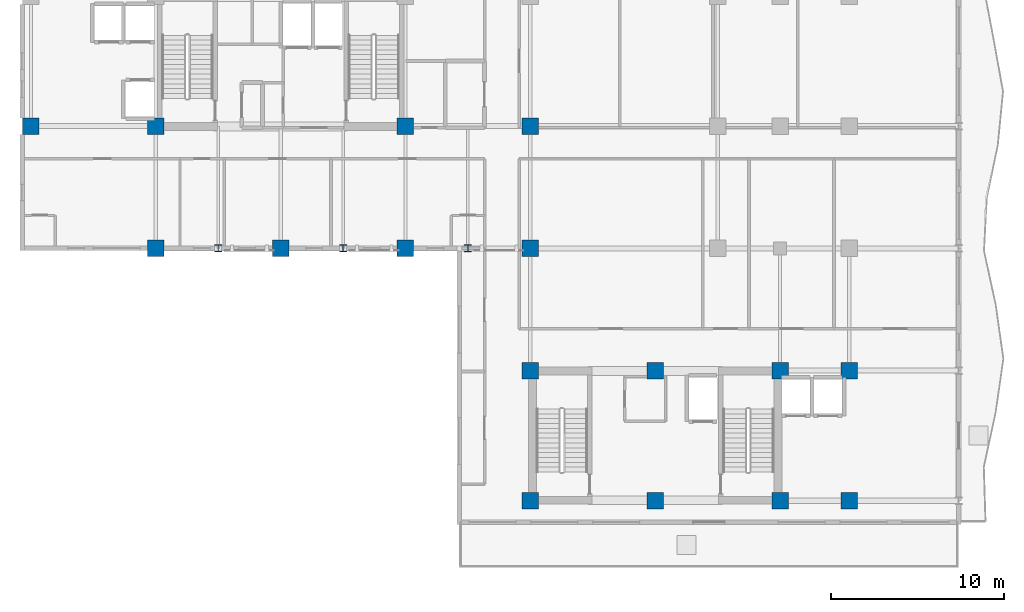
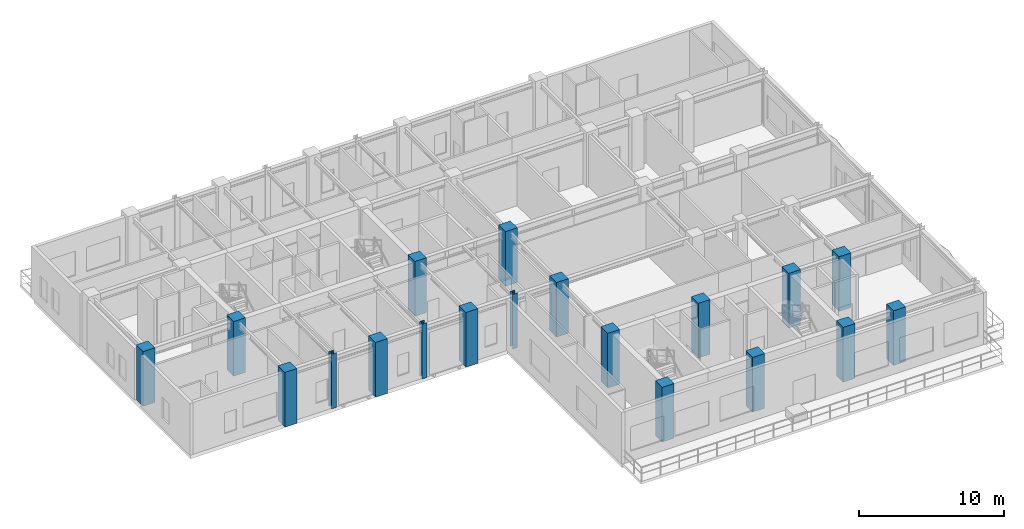
# One storey, part 1 of 14: 19 columns.
"""IFC4 building model written with IfcOpenShell, lengths in metres."""

from ifc_helpers import new_model, si_unit, direction, frame, origin, origin_2d, place, context, subcontext, project, spatial, rectangle, i_section, extrude, source, transform, mapped, material, material_profile, profile_set, type_object, element, save


model = new_model("IFC4")

# Units and contexts
model_context = context("Model", 3, precision=1e-05, world=origin(), true_north=direction((0.0, 1.0)))
body_context = subcontext(model_context, "Body", "Model", "MODEL_VIEW")
ifc_project = project(units=[si_unit("LENGTHUNIT", "METRE"), si_unit("AREAUNIT", "SQUARE_METRE"), si_unit("VOLUMEUNIT", "CUBIC_METRE"), si_unit("PLANEANGLEUNIT", "RADIAN"), si_unit("MASSUNIT", "GRAM", prefix="KILO")], contexts=[model_context])

# Site, building, storey
site_placement = place(None, origin())
site = spatial("IfcSite", under=ifc_project, at=site_placement, CompositionType="ELEMENT")
building_placement = place(site_placement, origin())
building = spatial("IfcBuilding", under=site, at=building_placement, Name="Kaliganga Portal Commons", CompositionType="ELEMENT")
storey_placement = place(building_placement, frame((0.0, 0.0, 197.199951171875)))
storey = spatial("IfcBuildingStorey", under=building, at=storey_placement, Name="L50", CompositionType="ELEMENT", Elevation=197.199951171875)

# Columns
ifc_material_1 = material(Name="Concrete C50/60", Category="concrete")
ifc_material_profile_1 = material_profile(ifc_material_1, rectangle(XDim=0.949951171875, YDim=0.949951171875, at=origin_2d()), Name="RC 950x950")
ifc_profile_set_1 = profile_set([ifc_material_profile_1], Name="Concrete C50/60")
column_type_1 = type_object("IfcColumnType", Name="COL-MEGA-Z4", PredefinedType="COLUMN", material=ifc_profile_set_1)
shared_shape_1 = source(origin(), body_context, "Body", "SweptSolid", [
    extrude(rectangle(XDim=0.949951171875, YDim=0.949951171875, at=origin_2d()), origin(), (0.0, 0.0, 1.0), 4.60009765625),
])
for number, where, z_axis, x_axis, name in (
    (1, (7.199951171875, 28.64990234375, 0.0), (0.0, 0.0, 1.0), (1.0, 0.0, 0.0), "Column MC-05 L50"),
    (2, (14.39990234375, 21.60009765625, 0.0), (0.0, 0.0, 1.0), (1.0, 0.0, 0.0), "Column MC-05 L50"),
    (3, (14.39990234375, 28.64990234375, 0.0), (0.0, 0.0, 1.0), (1.0, 0.0, 0.0), "Column MC-05 L50"),
    (4, (21.60009765625, 21.60009765625, 0.0), (0.0, 0.0, 1.0), (1.0, 0.0, 0.0), "Column MC-05 L50"),
    (5, (28.800048828125, 21.60009765625, 0.0), (0.0, 0.0, 1.0), (1.0, 0.0, 0.0), "Column MC-05 L50"),
    (6, (28.800048828125, 28.64990234375, 0.0), (0.0, 0.0, 1.0), (1.0, 0.0, 0.0), "Column MC-05 L50"),
    (7, (36.0, 21.60009765625, 0.0), (0.0, 0.0, 1.0), (1.0, 0.0, 0.0), "Column MC-05 L50"),
    (8, (36.0, 28.64990234375, 0.0), (0.0, 0.0, 1.0), (1.0, 0.0, 0.0), "Column MC-05 L50"),
    (9, (36.0, 7.050048828125, 0.0), (0.0, 0.0, 1.0), (1.0, 0.0, 0.0), "Column MC-05 L50"),
    (10, (36.0, 14.550048828125, 0.0), (0.0, 0.0, 1.0), (1.0, 0.0, 0.0), "Column MC-05 L50"),
    (11, (43.199951171875, 7.050048828125, 0.0), (0.0, 0.0, 1.0), (1.0, 0.0, 0.0), "Column MC-05 L50"),
    (12, (43.199951171875, 14.550048828125, 0.0), (0.0, 0.0, 1.0), (1.0, 0.0, 0.0), "Column MC-05 L50"),
    (13, (50.39990234375, 7.050048828125, 0.0), (0.0, 0.0, 1.0), (1.0, 0.0, 0.0), "Column MC-05 L50"),
    (14, (50.39990234375, 14.550048828125, 0.0), (0.0, 0.0, 1.0), (1.0, 0.0, 0.0), "Column MC-05 L50"),
    (15, (54.39990234375, 7.050048828125, 0.0), (0.0, 0.0, 1.0), (1.0, 0.0, 0.0), "Column MC-05 L50"),
    (16, (54.39990234375, 14.550048828125, 0.0), (0.0, 0.0, 1.0), (1.0, 0.0, 0.0), "Column MC-05 L50"),
):
    element("IfcColumn", number, at=place(storey_placement, frame(where, z_axis=z_axis, x_axis=x_axis)), inside=storey, type_object=column_type_1, Name=name, PredefinedType="COLUMN", context=body_context, shape_type="MappedRepresentation", body=[
        mapped(shared_shape_1, transform((0.0, 0.0, 0.0), x_axis=(1.0, 0.0, 0.0), y_axis=(0.0, 1.0, 0.0), z_axis=(0.0, 0.0, 1.0), scale=1.0)),
    ])
ifc_material_2 = material(Name="Structural steel S355J2", Category="steel")
ifc_material_profile_2 = material_profile(ifc_material_2, i_section(OverallWidth=0.39892578125, OverallDepth=0.39990234375, WebThickness=0.017333984375, FlangeThickness=0.0234375, FilletRadius=0.014892578125, at=origin_2d()), Name="HD 400x287")
ifc_profile_set_2 = profile_set([ifc_material_profile_2], Name="Structural steel S355J2 wide-flange")
column_type_2 = type_object("IfcColumnType", Name="COL-TUBE-B4", PredefinedType="COLUMN", material=ifc_profile_set_2)
shared_shape_2 = source(origin(), body_context, "Body", "SweptSolid", [
    extrude(i_section(OverallWidth=0.39892578125, OverallDepth=0.39990234375, WebThickness=0.017333984375, FlangeThickness=0.0234375, FilletRadius=0.014892578125, at=origin_2d()), origin(), (0.0, 0.0, 1.0), 4.60009765625),
])
for number, where, z_axis, x_axis, name in (
    (17, (18.0, 21.60009765625, 0.0), (0.0, 0.0, 1.0), (1.0, 0.0, 0.0), "Column TC-04 L50"),
    (18, (25.199951171875, 21.60009765625, 0.0), (0.0, 0.0, 1.0), (1.0, 0.0, 0.0), "Column TC-04 L50"),
    (19, (32.39990234375, 21.60009765625, 0.0), (0.0, 0.0, 1.0), (1.0, 0.0, 0.0), "Column TC-04 L50"),
):
    element("IfcColumn", number, at=place(storey_placement, frame(where, z_axis=z_axis, x_axis=x_axis)), inside=storey, type_object=column_type_2, Name=name, PredefinedType="COLUMN", context=body_context, shape_type="MappedRepresentation", body=[
        mapped(shared_shape_2, transform((0.0, 0.0, 0.0), x_axis=(1.0, 0.0, 0.0), y_axis=(0.0, 1.0, 0.0), z_axis=(0.0, 0.0, 1.0), scale=1.0)),
    ])

save(model, "model.ifc")
